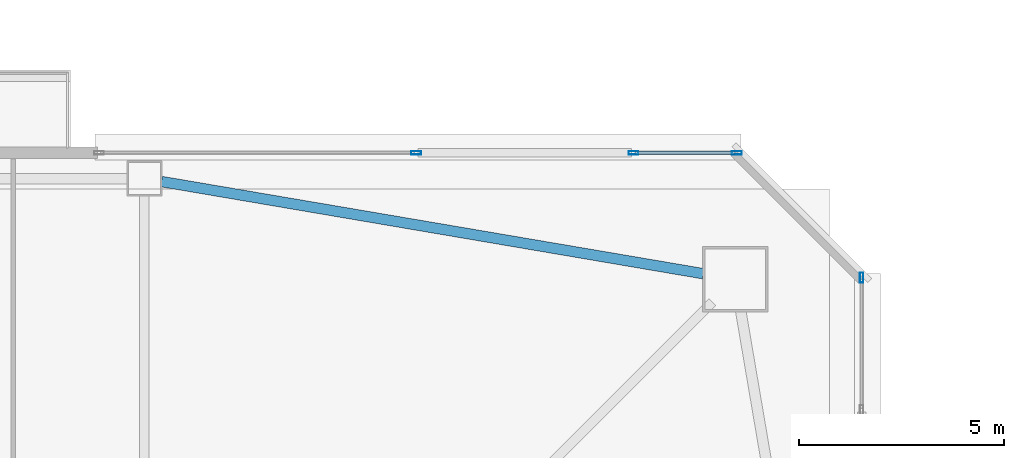
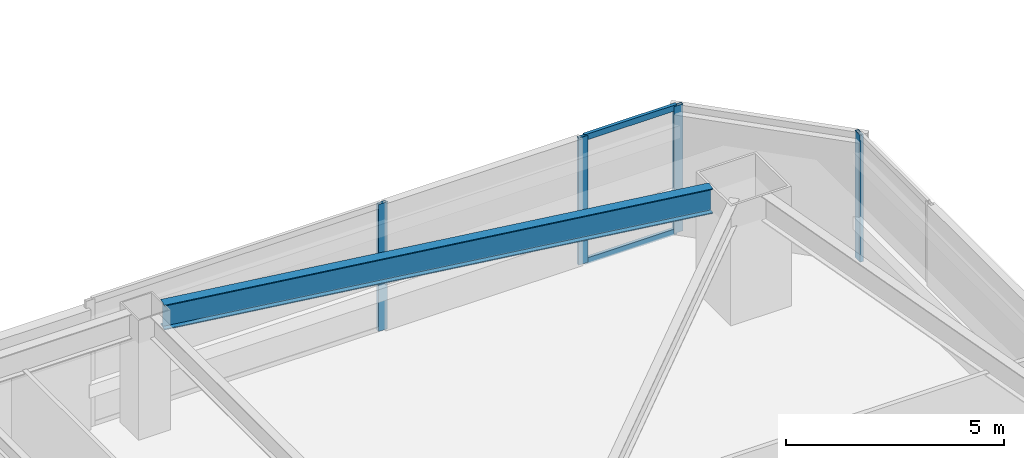
# One storey, part 19 of 48: 6 members, 1 beam, 3 elements without a shape of their own.
"""IFC4 building model written with IfcOpenShell, lengths in metres."""

from ifc_helpers import new_model, si_unit, direction, frame, origin, origin_2d, place, context, subcontext, project, spatial, hollow_rectangle, i_section, extrude, material, material_profile, profile_set, type_object, element, aggregate, save


model = new_model("IFC4")

# Units and contexts
model_context = context("Model", 3, precision=1e-05, world=origin(), true_north=direction((0.0, 1.0)))
body_context = subcontext(model_context, "Body", "Model", "MODEL_VIEW")
ifc_project = project(units=[si_unit("LENGTHUNIT", "METRE"), si_unit("AREAUNIT", "SQUARE_METRE"), si_unit("VOLUMEUNIT", "CUBIC_METRE"), si_unit("PLANEANGLEUNIT", "RADIAN"), si_unit("MASSUNIT", "GRAM", prefix="KILO")], contexts=[model_context])

# Site, building, storey
site_placement = place(None, origin())
site = spatial("IfcSite", under=ifc_project, at=site_placement, CompositionType="ELEMENT")
building_placement = place(site_placement, origin())
building = spatial("IfcBuilding", under=site, at=building_placement, Name="Tashvorn Skyway Center", CompositionType="ELEMENT")
storey_placement = place(building_placement, frame((0.0, 0.0, 53.0)))
storey = spatial("IfcBuildingStorey", under=building, at=storey_placement, Name="L13", CompositionType="ELEMENT", Elevation=53.0)

# Beam
ifc_material_1 = material(Name="Steel ASTM A992 Grade 50", Category="steel")
ifc_material_profile_1 = material_profile(ifc_material_1, i_section(OverallWidth=0.256103515625, OverallDepth=0.693115234375, WebThickness=0.014404296875, FlangeThickness=0.023681640625, at=origin_2d()), Name="W27X114")
ifc_profile_set_1 = profile_set([ifc_material_profile_1], Name="Steel ASTM A992 Grade 50")
beam_type = type_object("IfcBeamType", Name="BM-SPANDREL-W27X114", PredefinedType="SPANDREL", material=ifc_profile_set_1)
beam_placement = place(storey_placement, frame((61.016357421875, 51.933349609375, 3.00341796875), z_axis=(-0.985835025551, 0.16771792509, 0.0), x_axis=(-0.16771792509, -0.985835025551, 0.0)))
element("IfcBeam", 1, at=beam_placement, inside=storey, type_object=beam_type, Name="Tower 1 L13 Spandrel Beam 07", PredefinedType="SPANDREL", context=body_context, shape_type="SweptSolid", body=[
    extrude(i_section(OverallWidth=0.256103515625, OverallDepth=0.693115234375, WebThickness=0.014404296875, FlangeThickness=0.023681640625, at=origin_2d()), origin(), (0.0, 0.0, 1.0), 13.39208984375),
])

# Curtain wall, member
ifc_material_2 = material(Name="Thermally broken bronze-anodized aluminium 6063-T6", Category="aluminium")
curtain_wall_type = type_object("IfcCurtainWallType", Name="CW-CW-Z1", PredefinedType="NOTDEFINED", material=ifc_material_2)
curtain_wall_1_placement = place(storey_placement, origin())
curtain_wall_1 = element("IfcCurtainWall", 2, at=curtain_wall_1_placement, inside=storey, type_object=curtain_wall_type, Name="Tower 1 L13 North Curtain Wall R Glazing Group 1", PredefinedType="NOTDEFINED")
ifc_material_profile_2 = material_profile(ifc_material_2, hollow_rectangle(XDim=0.0849609375, YDim=0.239990234375, WallThickness=0.0048828125, at=origin_2d()), Name="ALU-MULL-85x240")
ifc_profile_set_2 = profile_set([ifc_material_profile_2], Name="Thermally broken bronze-anodized aluminium 6063-T6")
member_type_1 = type_object("IfcMemberType", Name="CWM-CW-Z1", PredefinedType="MULLION", material=ifc_profile_set_2)
member_1_placement = place(storey_placement, frame((54.0224609375, 54.8798828125, 0.0), z_axis=(0.0, 0.0, 1.0), x_axis=(0.0, 1.0, 0.0)))
member_1 = element("IfcMember", 3, at=member_1_placement, type_object=member_type_1, Name="CW-Z1 mullion 2", PredefinedType="MULLION", context=body_context, shape_type="SweptSolid", body=[
    extrude(hollow_rectangle(XDim=0.0849609375, YDim=0.239990234375, WallThickness=0.0048828125, at=origin_2d()), origin(), (0.0, 0.0, 1.0), 3.550048828125),
])
aggregate(curtain_wall_1, [member_1])

# Curtain wall, members
curtain_wall_2_placement = place(storey_placement, origin())
curtain_wall_2 = element("IfcCurtainWall", 4, at=curtain_wall_2_placement, inside=storey, type_object=curtain_wall_type, Name="Tower 1 L13 North Curtain Wall R Glazing Group 2", PredefinedType="NOTDEFINED")
member_2_placement = place(storey_placement, frame((59.3173828125, 54.8798828125, 0.0), z_axis=(0.0, 0.0, 1.0), x_axis=(0.0, 1.0, 0.0)))
member_2 = element("IfcMember", 5, at=member_2_placement, type_object=member_type_1, Name="CW-Z1 mullion 1", PredefinedType="MULLION", context=body_context, shape_type="SweptSolid", body=[
    extrude(hollow_rectangle(XDim=0.0849609375, YDim=0.239990234375, WallThickness=0.0048828125, at=origin_2d()), origin(), (0.0, 0.0, 1.0), 3.550048828125),
])
member_3_placement = place(storey_placement, frame((61.83740234375, 54.8798828125, 0.0), z_axis=(0.0, 0.0, 1.0), x_axis=(0.0, 1.0, 0.0)))
member_3 = element("IfcMember", 6, at=member_3_placement, type_object=member_type_1, Name="CW-Z1 mullion 2", PredefinedType="MULLION", context=body_context, shape_type="SweptSolid", body=[
    extrude(hollow_rectangle(XDim=0.0849609375, YDim=0.239990234375, WallThickness=0.0048828125, at=origin_2d()), origin(), (0.0, 0.0, 1.0), 3.550048828125),
])

# Curtain wall, member
curtain_wall_3_placement = place(storey_placement, origin())
curtain_wall_3 = element("IfcCurtainWall", 7, at=curtain_wall_3_placement, inside=storey, type_object=curtain_wall_type, Name="Tower 1 L13 East Unitised Curtain Wall Glazing Group 1", PredefinedType="NOTDEFINED")
member_4_placement = place(storey_placement, frame((64.8798828125, 51.83740234375, 0.0), z_axis=(0.0, 0.0, 1.0), x_axis=(1.0, 0.0, 0.0)))
member_4 = element("IfcMember", 8, at=member_4_placement, type_object=member_type_1, Name="CW-Z1 mullion 1", PredefinedType="MULLION", context=body_context, shape_type="SweptSolid", body=[
    extrude(hollow_rectangle(XDim=0.0849609375, YDim=0.239990234375, WallThickness=0.0048828125, at=origin_2d()), origin(), (0.0, 0.0, 1.0), 3.550048828125),
])
aggregate(curtain_wall_3, [member_4])

# Member
ifc_material_profile_3 = material_profile(ifc_material_2, hollow_rectangle(XDim=0.0849609375, YDim=0.1650390625, WallThickness=0.0048828125, at=origin_2d()), Name="ALU-TRAN-85x165")
ifc_profile_set_3 = profile_set([ifc_material_profile_3], Name="Thermally broken bronze-anodized aluminium 6063-T6")
member_type_2 = type_object("IfcMemberType", Name="CWT-CW-Z1", PredefinedType="USERDEFINED", material=ifc_profile_set_3)
member_5_placement = place(storey_placement, frame((59.360107421875, 54.8798828125, 0.04248046875), z_axis=(1.0, 0.0, 0.0), x_axis=(0.0, 1.0, 0.0)))
member_5 = element("IfcMember", 9, at=member_5_placement, type_object=member_type_2, Name="CW-Z1 transom 1.1", ObjectType="TRANSOM", PredefinedType="USERDEFINED", context=body_context, shape_type="SweptSolid", body=[
    extrude(hollow_rectangle(XDim=0.0849609375, YDim=0.1650390625, WallThickness=0.0048828125, at=origin_2d()), origin(), (0.0, 0.0, 1.0), 2.434814453125),
])

member_6_placement = place(storey_placement, frame((59.360107421875, 54.8798828125, 3.507568359375), z_axis=(1.0, 0.0, 0.0), x_axis=(0.0, 1.0, 0.0)))
member_6 = element("IfcMember", 10, at=member_6_placement, type_object=member_type_2, Name="CW-Z1 transom 1.2", ObjectType="TRANSOM", PredefinedType="USERDEFINED", context=body_context, shape_type="SweptSolid", body=[
    extrude(hollow_rectangle(XDim=0.0849609375, YDim=0.1650390625, WallThickness=0.0048828125, at=origin_2d()), origin(), (0.0, 0.0, 1.0), 2.434814453125),
])

aggregate(curtain_wall_2, [member_2, member_3, member_5, member_6])

save(model, "model.ifc")
